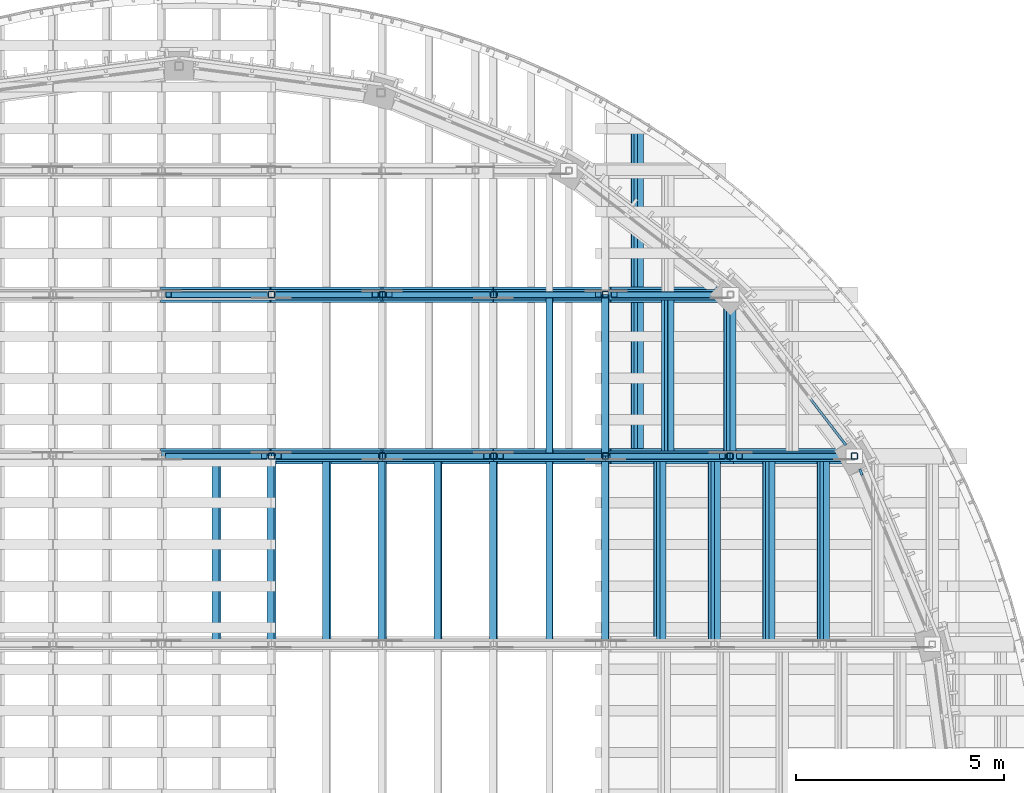
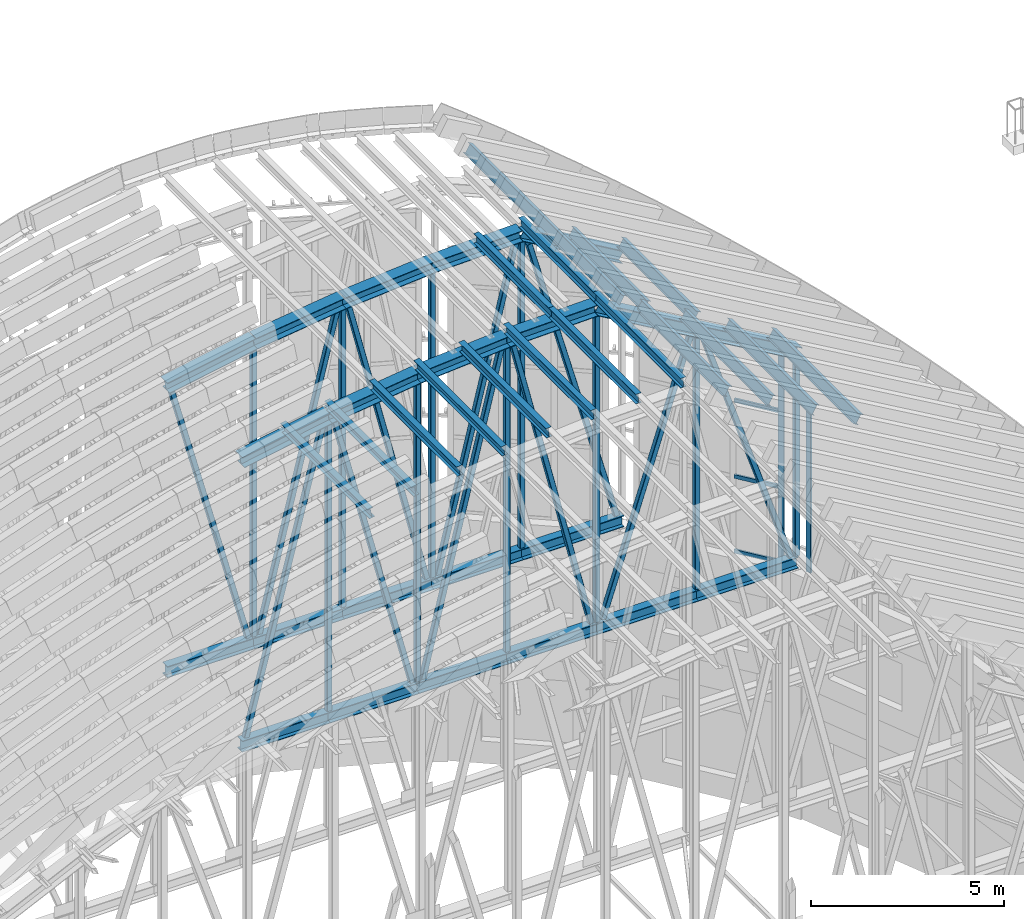
# One storey, part 26 of 105: 65 members, 2 elements without a shape of their own.
"""IFC4 building model written with IfcOpenShell, lengths in metres."""

import ifcopenshell
import ifcopenshell.guid

model = None  # the IFC model being written
_history = None  # IfcOwnerHistory: only IFC2X3 demands one
_inside = {}  # id of a spatial element -> (the spatial element, [elements in it])
_under = {}  # id of a project, library or spatial element -> (it, [spatial elements below it])
_declared = {}  # id of a project -> (the project, [libraries it declares])
_typed = {}  # id of a type object -> (the type object, [elements of that type])
_made_of = {}  # id of a material, layer set ... -> (it, [elements and type objects made of it])


def new_model(schema):
    """Start an empty IFC model of exactly this schema.

    Asked for "IFC4X3", IfcOpenShell would pick the latest addendum, in which some entities
    have other attributes; the version numbers below select the first issue.
    IFC2X3 requires an IfcOwnerHistory on every rooted entity: one is made here for all.
    """
    global model, _history
    if schema == "IFC4X3":
        model = ifcopenshell.file(schema_version=(4, 3, 0, 0))
    else:
        model = ifcopenshell.file(schema=schema)
    _inside.clear()
    _under.clear()
    _declared.clear()
    _typed.clear()
    _made_of.clear()
    _history = None
    if model.schema == "IFC2X3":
        org = make("IfcOrganization", Name="unknown")
        user = make(
            "IfcPersonAndOrganization",
            ThePerson=make("IfcPerson", FamilyName="unknown"),
            TheOrganization=org,
        )
        app = make(
            "IfcApplication",
            ApplicationDeveloper=org,
            Version="unknown",
            ApplicationFullName="unknown",
            ApplicationIdentifier="unknown",
        )
        _history = make(
            "IfcOwnerHistory",
            OwningUser=user,
            OwningApplication=app,
            ChangeAction="ADDED",
            CreationDate=0,
        )
    return model


def make(cls, **values):
    """One entity of the class cls with the attributes given. An attribute that is None is left unset."""
    return model.create_entity(
        cls, **{name: value for name, value in values.items() if value is not None}
    )


def rooted(cls, **values):
    """An entity with a GlobalId (a new one), such as an element, a storey or a relation."""
    return make(cls, GlobalId=ifcopenshell.guid.new(), OwnerHistory=_history, **values)


def si_unit(unit_type, name, prefix=None):
    """IfcSIUnit, for example si_unit("LENGTHUNIT", "METRE", prefix="MILLI")."""
    return make("IfcSIUnit", UnitType=unit_type, Prefix=prefix, Name=name)


def assignment(units):
    """IfcUnitAssignment: the units of a project."""
    return None if units is None else make("IfcUnitAssignment", Units=units)


def point(xyz):
    """IfcCartesianPoint."""
    return None if xyz is None else make("IfcCartesianPoint", Coordinates=xyz)


def direction(xyz):
    """IfcDirection."""
    return None if xyz is None else make("IfcDirection", DirectionRatios=xyz)


def frame(location, z_axis=None, x_axis=None):
    """IfcAxis2Placement3D, a coordinate frame: its origin and axes. An axis left out is left unset."""
    return make(
        "IfcAxis2Placement3D",
        Location=point(location),
        Axis=direction(z_axis),
        RefDirection=direction(x_axis),
    )


def frame_2d(location, x_axis=None):
    """IfcAxis2Placement2D, a coordinate frame in the plane: its origin and x axis."""
    return make(
        "IfcAxis2Placement2D", Location=point(location), RefDirection=direction(x_axis)
    )


def origin():
    """The frame at (0, 0, 0) with its axes left unset."""
    return frame((0.0, 0.0, 0.0))


def origin_2d():
    """The frame at (0, 0) in the plane with its x axis left unset."""
    return frame_2d((0.0, 0.0))


def place(relative_to, where):
    """IfcLocalPlacement: puts the frame where relative to a parent placement (None: the world)."""
    return make(
        "IfcLocalPlacement", PlacementRelTo=relative_to, RelativePlacement=where
    )


def context(
    kind, dimensions, precision=None, world=None, true_north=None, identifier=None
):
    """IfcGeometricRepresentationContext, for example the 3D "Model" context."""
    return make(
        "IfcGeometricRepresentationContext",
        ContextIdentifier=identifier,
        ContextType=kind,
        CoordinateSpaceDimension=dimensions,
        Precision=precision,
        WorldCoordinateSystem=world,
        TrueNorth=true_north,
    )


def subcontext(parent, identifier, kind, view, scale=None):
    """IfcGeometricRepresentationSubContext, for example "Body" below "Model"."""
    return make(
        "IfcGeometricRepresentationSubContext",
        ContextIdentifier=identifier,
        ContextType=kind,
        ParentContext=parent,
        TargetScale=scale,
        TargetView=view,
    )


def project(units=None, contexts=None):
    """IfcProject with its units and contexts."""
    return rooted(
        "IfcProject",
        Name="project",
        RepresentationContexts=contexts,
        UnitsInContext=assignment(units),
    )


def spatial(cls, under=None, at=None, **own):
    """A site, building, storey or space (cls), placed at a placement, below another one or the project."""
    s = rooted(cls, ObjectPlacement=at, **own)
    if under is not None:
        _under.setdefault(under.id(), (under, []))[1].append(s)
    return s


def profile(cls, at=None, kind="AREA", **sizes):
    """A parametric profile (cls). Its sizes go by their IFC names, for example OverallWidth=200.0."""
    return make(cls, ProfileType=kind, Position=at, **sizes)


def rectangle(**sizes):
    """IfcRectangleProfileDef."""
    return profile("IfcRectangleProfileDef", **sizes)


def hollow_rectangle(**sizes):
    """IfcRectangleHollowProfileDef."""
    return profile("IfcRectangleHollowProfileDef", **sizes)


def i_section(**sizes):
    """IfcIShapeProfileDef."""
    return profile("IfcIShapeProfileDef", **sizes)


def extrude(swept, where, along, depth):
    """IfcExtrudedAreaSolid: the profile swept, set in the frame where, extruded along a direction by depth."""
    return make(
        "IfcExtrudedAreaSolid",
        SweptArea=swept,
        Position=where,
        ExtrudedDirection=direction(along),
        Depth=depth,
    )


def shape(context_of_items, identifier, shape_type, items):
    """IfcShapeRepresentation: the items that make up one representation, for example the "Body"."""
    return make(
        "IfcShapeRepresentation",
        ContextOfItems=context_of_items,
        RepresentationIdentifier=identifier,
        RepresentationType=shape_type,
        Items=items,
    )


def material(Name=None, Category=None):
    """IfcMaterial."""
    return make("IfcMaterial", Name=Name, Category=Category)


def layer(
    of_material, thickness, ventilated=None, Name=None, Category=None, Priority=None
):
    """IfcMaterialLayer: one layer of a wall or slab, of a material (None: an air gap)."""
    return make(
        "IfcMaterialLayer",
        Material=of_material,
        LayerThickness=thickness,
        IsVentilated=ventilated,
        Name=Name,
        Category=Category,
        Priority=Priority,
    )


def layer_set(layers, Name=None):
    """IfcMaterialLayerSet."""
    return make("IfcMaterialLayerSet", MaterialLayers=layers, LayerSetName=Name)


def material_profile(
    of_material, cross_section, Name=None, Category=None, Priority=None
):
    """IfcMaterialProfile: a cross section and its material."""
    return make(
        "IfcMaterialProfile",
        Name=Name,
        Material=of_material,
        Profile=cross_section,
        Priority=Priority,
        Category=Category,
    )


def profile_set(profiles, Name=None, composite=None):
    """IfcMaterialProfileSet."""
    return make(
        "IfcMaterialProfileSet",
        Name=Name,
        MaterialProfiles=profiles,
        CompositeProfile=composite,
    )


def made_of(thing, what):
    """Note that an element or type object is made of a material, layer set ...; save() writes the relation."""
    if what is not None:
        _made_of.setdefault(what.id(), (what, []))[1].append(thing)
    return thing


def type_object(cls, material=None, **own):
    """A type object (cls), such as IfcWallType, which elements share."""
    return made_of(rooted(cls, **own), material)


def element(
    cls,
    number,
    at=None,
    inside=None,
    cuts=None,
    type_object=None,
    material=None,
    context=None,
    identifier="Body",
    shape_type=None,
    held_by="IfcProductDefinitionShape",
    body=None,
    shapes=None,
    **own,
):
    """One element of the class cls, such as IfcWall. Its Tag is "e" and its number.

    at: its placement. inside: the storey or other place that contains it. cuts: it is an
    opening in that element (IfcRelVoidsElement). A single representation is given by context,
    identifier, shape_type and body (its items); several are given by shapes. held_by: the class
    of the entity that holds the representations. save() writes the other relations.
    """
    e = rooted(cls, Tag="e%d" % number, ObjectPlacement=at, **own)
    if body is not None:
        shapes = [shape(context, identifier, shape_type, body)]
    if shapes is not None:
        e.Representation = make(held_by, Representations=shapes)
    if inside is not None:
        _inside.setdefault(inside.id(), (inside, []))[1].append(e)
    if cuts is not None:
        rooted(
            "IfcRelVoidsElement", RelatingBuildingElement=cuts, RelatedOpeningElement=e
        )
    if type_object is not None:
        _typed.setdefault(type_object.id(), (type_object, []))[1].append(e)
    return made_of(e, material)


def aggregate(whole, parts):
    """IfcRelAggregates: a whole, such as a stair, and the parts it consists of."""
    return rooted("IfcRelAggregates", RelatingObject=whole, RelatedObjects=parts)


def save(model, path):
    """Write the relations noted so far, then the file.

    IfcRelAggregates (storeys below a building ...), IfcRelContainedInSpatialStructure (elements
    in a storey), IfcRelDefinesByType, IfcRelAssociatesMaterial and IfcRelDeclares: one each for
    every whole, place, type object, material and project.
    """
    for whole, parts in _under.values():
        aggregate(whole, parts)
    for where, things in _inside.values():
        rooted(
            "IfcRelContainedInSpatialStructure",
            RelatedElements=things,
            RelatingStructure=where,
        )
    for kind, things in _typed.values():
        rooted("IfcRelDefinesByType", RelatedObjects=things, RelatingType=kind)
    for what, things in _made_of.values():
        rooted("IfcRelAssociatesMaterial", RelatedObjects=things, RelatingMaterial=what)
    for by, libraries in _declared.values():
        rooted("IfcRelDeclares", RelatingContext=by, RelatedDefinitions=libraries)
    model.write(path)


model = new_model("IFC4")

# Units and contexts
model_context = context("Model", 3, precision=1e-05, world=origin(), true_north=direction((0.0, 1.0)))
body_context = subcontext(model_context, "Body", "Model", "MODEL_VIEW")
ifc_project = project(units=[si_unit("LENGTHUNIT", "METRE"), si_unit("AREAUNIT", "SQUARE_METRE"), si_unit("VOLUMEUNIT", "CUBIC_METRE"), si_unit("PLANEANGLEUNIT", "RADIAN"), si_unit("MASSUNIT", "GRAM", prefix="KILO")], contexts=[model_context])

# Site, building, storey
site_placement = place(None, origin())
site = spatial("IfcSite", under=ifc_project, at=site_placement, CompositionType="ELEMENT")
building_placement = place(site_placement, origin())
building = spatial("IfcBuilding", under=site, at=building_placement, Name="Wasatch Bagh Community Centre", CompositionType="ELEMENT")
storey_placement = place(building_placement, frame((0.0, 0.0, 16.800048828125)))
storey = spatial("IfcBuildingStorey", under=building, at=storey_placement, Name="L04", CompositionType="ELEMENT", Elevation=16.800048828125)

# Members
ifc_material_1 = material(Name="ASTM A500 Grade C steel", Category="steel")
ifc_material_profile_1 = material_profile(ifc_material_1, hollow_rectangle(XDim=0.15234375, YDim=0.15234375, WallThickness=0.0087890625, InnerFilletRadius=0.0087890625, OuterFilletRadius=0.017822265625, at=origin_2d()), Name="HSS6x6x3/8")
ifc_profile_set_1 = profile_set([ifc_material_profile_1], Name="ASTM A500 Grade C steel")
member_type_1 = type_object("IfcMemberType", Name="HSS6x6x3/8 brace", PredefinedType="BRACE", material=ifc_profile_set_1)
member_1_placement = place(storey_placement, frame((35.75146484375, 74.375, 8.08984375), z_axis=(0.246183437519, 0.0, 0.969223253483), x_axis=(0.0, 1.0, 0.0)))
element("IfcMember", 1, at=member_1_placement, inside=storey, type_object=member_type_1, Name="MH.TN2.WB07", PredefinedType="BRACE", context=body_context, shape_type="SweptSolid", body=[
    extrude(hollow_rectangle(XDim=0.15234375, YDim=0.15234375, WallThickness=0.0087890625, InnerFilletRadius=0.0087890625, OuterFilletRadius=0.017822265625, at=origin_2d()), origin(), (0.0, 0.0, 1.0), 9.349853515625),
])
member_2_placement = place(storey_placement, frame((40.722412109375, 74.375, 8.08984375), z_axis=(-0.247331546252, 0.0, 0.968930908904), x_axis=(0.0, -1.0, 0.0)))
element("IfcMember", 2, at=member_2_placement, inside=storey, type_object=member_type_1, Name="MH.TN2.WB08", PredefinedType="BRACE", context=body_context, shape_type="SweptSolid", body=[
    extrude(hollow_rectangle(XDim=0.15234375, YDim=0.15234375, WallThickness=0.0087890625, InnerFilletRadius=0.0087890625, OuterFilletRadius=0.017822265625, at=origin_2d()), origin(), (0.0, 0.0, 1.0), 9.4326171875),
])
member_3_placement = place(storey_placement, frame((41.052978515625, 74.375, 8.089111328125), z_axis=(0.236340285588, 0.0, 0.971670350174), x_axis=(0.0, 1.0, 0.0)))
element("IfcMember", 3, at=member_3_placement, inside=storey, type_object=member_type_1, Name="MH.TN2.WB09", PredefinedType="BRACE", context=body_context, shape_type="SweptSolid", body=[
    extrude(hollow_rectangle(XDim=0.15234375, YDim=0.15234375, WallThickness=0.0087890625, InnerFilletRadius=0.0087890625, OuterFilletRadius=0.017822265625, at=origin_2d()), origin(), (0.0, 0.0, 1.0), 9.92919921875),
])
member_4_placement = place(storey_placement, frame((46.0859375, 74.375, 8.089111328125), z_axis=(-0.236715120472, 0.0, 0.971579102153), x_axis=(0.0, -1.0, 0.0)))
element("IfcMember", 4, at=member_4_placement, inside=storey, type_object=member_type_1, Name="MH.TN2.WB10", PredefinedType="BRACE", context=body_context, shape_type="SweptSolid", body=[
    extrude(hollow_rectangle(XDim=0.15234375, YDim=0.15234375, WallThickness=0.0087890625, InnerFilletRadius=0.0087890625, OuterFilletRadius=0.017822265625, at=origin_2d()), origin(), (0.0, 0.0, 1.0), 9.955810546875),
])
member_5_placement = place(storey_placement, frame((46.43310546875, 74.375, 8.0947265625), z_axis=(0.310739857931, 0.0, 0.950494997721), x_axis=(0.0, 1.0, 0.0)))
element("IfcMember", 5, at=member_5_placement, inside=storey, type_object=member_type_1, Name="MH.TN2.WB11", PredefinedType="BRACE", context=body_context, shape_type="SweptSolid", body=[
    extrude(hollow_rectangle(XDim=0.15234375, YDim=0.15234375, WallThickness=0.0087890625, InnerFilletRadius=0.0087890625, OuterFilletRadius=0.017822265625, at=origin_2d()), origin(), (0.0, 0.0, 1.0), 8.469482421875),
])
member_6_placement = place(storey_placement, frame((52.0537109375, 74.375, 8.094970703125), z_axis=(-0.315332472501, 0.0, 0.948981259976), x_axis=(0.0, -1.0, 0.0)))
element("IfcMember", 6, at=member_6_placement, inside=storey, type_object=member_type_1, Name="MH.TN2.WB12", PredefinedType="BRACE", context=body_context, shape_type="SweptSolid", body=[
    extrude(hollow_rectangle(XDim=0.15234375, YDim=0.15234375, WallThickness=0.0087890625, InnerFilletRadius=0.0087890625, OuterFilletRadius=0.017822265625, at=origin_2d()), origin(), (0.0, 0.0, 1.0), 8.18212890625),
])
member_7_placement = place(storey_placement, frame((38.057373046875, 78.25830078125, 8.090576171875), z_axis=(-0.257394899199, 0.0, 0.966306300231), x_axis=(0.0, -1.0, 0.0)))
element("IfcMember", 7, at=member_7_placement, inside=storey, type_object=member_type_1, Name="MH.TN3.WB06", PredefinedType="BRACE", context=body_context, shape_type="SweptSolid", body=[
    extrude(hollow_rectangle(XDim=0.15234375, YDim=0.15234375, WallThickness=0.0087890625, InnerFilletRadius=0.0087890625, OuterFilletRadius=0.017822265625, at=origin_2d()), origin(), (0.0, 0.0, 1.0), 8.96728515625),
])
member_8_placement = place(storey_placement, frame((38.39111328125, 78.25830078125, 8.08935546875), z_axis=(0.239854300231, 0.0, 0.970808897086), x_axis=(0.0, 1.0, 0.0)))
element("IfcMember", 8, at=member_8_placement, inside=storey, type_object=member_type_1, Name="MH.TN3.WB07", PredefinedType="BRACE", context=body_context, shape_type="SweptSolid", body=[
    extrude(hollow_rectangle(XDim=0.15234375, YDim=0.15234375, WallThickness=0.0087890625, InnerFilletRadius=0.0087890625, OuterFilletRadius=0.017822265625, at=origin_2d()), origin(), (0.0, 0.0, 1.0), 9.70849609375),
])
member_9_placement = place(storey_placement, frame((43.401123046875, 78.25830078125, 8.08935546875), z_axis=(-0.240640528946, 0.0, 0.970614308481), x_axis=(0.0, -1.0, 0.0)))
element("IfcMember", 9, at=member_9_placement, inside=storey, type_object=member_type_1, Name="MH.TN3.WB08", PredefinedType="BRACE", context=body_context, shape_type="SweptSolid", body=[
    extrude(hollow_rectangle(XDim=0.15234375, YDim=0.15234375, WallThickness=0.0087890625, InnerFilletRadius=0.0087890625, OuterFilletRadius=0.017822265625, at=origin_2d()), origin(), (0.0, 0.0, 1.0), 9.762939453125),
])
member_10_placement = place(storey_placement, frame((43.7294921875, 78.25830078125, 8.089111328125), z_axis=(0.23546246071, 0.0, 0.97188344445), x_axis=(0.0, 1.0, 0.0)))
element("IfcMember", 10, at=member_10_placement, inside=storey, type_object=member_type_1, Name="MH.TN3.WB09", PredefinedType="BRACE", context=body_context, shape_type="SweptSolid", body=[
    extrude(hollow_rectangle(XDim=0.15234375, YDim=0.15234375, WallThickness=0.0087890625, InnerFilletRadius=0.0087890625, OuterFilletRadius=0.017822265625, at=origin_2d()), origin(), (0.0, 0.0, 1.0), 10.006591796875),
])
member_11_placement = place(storey_placement, frame((49.0869140625, 78.25830078125, 8.09130859375), z_axis=(-0.266053472692, 0.0, 0.963958271746), x_axis=(0.0, -1.0, 0.0)))
element("IfcMember", 11, at=member_11_placement, inside=storey, type_object=member_type_1, Name="MH.TN3.WB10", PredefinedType="BRACE", context=body_context, shape_type="SweptSolid", body=[
    extrude(hollow_rectangle(XDim=0.15234375, YDim=0.15234375, WallThickness=0.0087890625, InnerFilletRadius=0.0087890625, OuterFilletRadius=0.017822265625, at=origin_2d()), origin(), (0.0, 0.0, 1.0), 9.867431640625),
])
ifc_material_profile_2 = material_profile(ifc_material_1, hollow_rectangle(XDim=0.15234375, YDim=0.15234375, WallThickness=0.0087890625, InnerFilletRadius=0.0087890625, OuterFilletRadius=0.017822265625, at=origin_2d()), Name="HSS6x6x3/8")
ifc_profile_set_2 = profile_set([ifc_material_profile_2], Name="ASTM A500 Grade C steel")
member_type_2 = type_object("IfcMemberType", Name="HSS6x6x3/8 post", PredefinedType="POST", material=ifc_profile_set_2)
member_12_placement = place(storey_placement, frame((38.226318359375, 74.375, 8.070556640625), z_axis=(0.0, 0.0, 1.0), x_axis=(1.0, 0.0, 0.0)))
element("IfcMember", 12, at=member_12_placement, inside=storey, type_object=member_type_2, Name="MH.TN2.PS08", PredefinedType="POST", context=body_context, shape_type="SweptSolid", body=[
    extrude(hollow_rectangle(XDim=0.15234375, YDim=0.15234375, WallThickness=0.0087890625, InnerFilletRadius=0.0087890625, OuterFilletRadius=0.017822265625, at=origin_2d()), origin(), (0.0, 0.0, 1.0), 9.13134765625),
])
member_13_placement = place(storey_placement, frame((40.88916015625, 74.375, 8.070556640625), z_axis=(0.0, 0.0, 1.0), x_axis=(1.0, 0.0, 0.0)))
element("IfcMember", 13, at=member_13_placement, inside=storey, type_object=member_type_2, Name="MH.TN2.PS09", PredefinedType="POST", context=body_context, shape_type="SweptSolid", body=[
    extrude(hollow_rectangle(XDim=0.15234375, YDim=0.15234375, WallThickness=0.0087890625, InnerFilletRadius=0.0087890625, OuterFilletRadius=0.017822265625, at=origin_2d()), origin(), (0.0, 0.0, 1.0), 9.48388671875),
])
member_14_placement = place(storey_placement, frame((43.56591796875, 74.375, 8.070556640625), z_axis=(0.0, 0.0, 1.0), x_axis=(1.0, 0.0, 0.0)))
element("IfcMember", 14, at=member_14_placement, inside=storey, type_object=member_type_2, Name="MH.TN2.PS10", PredefinedType="POST", context=body_context, shape_type="SweptSolid", body=[
    extrude(hollow_rectangle(XDim=0.15234375, YDim=0.15234375, WallThickness=0.0087890625, InnerFilletRadius=0.0087890625, OuterFilletRadius=0.017822265625, at=origin_2d()), origin(), (0.0, 0.0, 1.0), 9.697265625),
])
member_15_placement = place(storey_placement, frame((46.25, 74.375, 8.070556640625), z_axis=(0.0, 0.0, 1.0), x_axis=(1.0, 0.0, 0.0)))
element("IfcMember", 15, at=member_15_placement, inside=storey, type_object=member_type_2, Name="MH.TN2.PS11", PredefinedType="POST", context=body_context, shape_type="SweptSolid", body=[
    extrude(hollow_rectangle(XDim=0.15234375, YDim=0.15234375, WallThickness=0.0087890625, InnerFilletRadius=0.0087890625, OuterFilletRadius=0.017822265625, at=origin_2d()), origin(), (0.0, 0.0, 1.0), 9.67431640625),
])
member_16_placement = place(storey_placement, frame((49.243896484375, 74.375, 8.070556640625), z_axis=(0.0, 0.0, 1.0), x_axis=(1.0, 0.0, 0.0)))
element("IfcMember", 16, at=member_16_placement, inside=storey, type_object=member_type_2, Name="MH.TN2.PS12", PredefinedType="POST", context=body_context, shape_type="SweptSolid", body=[
    extrude(hollow_rectangle(XDim=0.15234375, YDim=0.15234375, WallThickness=0.0087890625, InnerFilletRadius=0.0087890625, OuterFilletRadius=0.017822265625, at=origin_2d()), origin(), (0.0, 0.0, 1.0), 7.944580078125),
])
member_17_placement = place(storey_placement, frame((52.238037109375, 74.375, 8.070556640625), z_axis=(0.0, 0.0, 1.0), x_axis=(1.0, 0.0, 0.0)))
element("IfcMember", 17, at=member_17_placement, inside=storey, type_object=member_type_2, Name="MH.TN2.PS13", PredefinedType="POST", context=body_context, shape_type="SweptSolid", body=[
    extrude(hollow_rectangle(XDim=0.15234375, YDim=0.15234375, WallThickness=0.0087890625, InnerFilletRadius=0.0087890625, OuterFilletRadius=0.017822265625, at=origin_2d()), origin(), (0.0, 0.0, 1.0), 6.194091796875),
])
member_18_placement = place(storey_placement, frame((38.226318359375, 78.25830078125, 8.070556640625), z_axis=(0.0, 0.0, 1.0), x_axis=(1.0, 0.0, 0.0)))
element("IfcMember", 18, at=member_18_placement, inside=storey, type_object=member_type_2, Name="MH.TN3.PS07", PredefinedType="POST", context=body_context, shape_type="SweptSolid", body=[
    extrude(hollow_rectangle(XDim=0.15234375, YDim=0.15234375, WallThickness=0.0087890625, InnerFilletRadius=0.0087890625, OuterFilletRadius=0.017822265625, at=origin_2d()), origin(), (0.0, 0.0, 1.0), 9.13134765625),
])
member_19_placement = place(storey_placement, frame((40.88916015625, 78.25830078125, 8.070556640625), z_axis=(0.0, 0.0, 1.0), x_axis=(1.0, 0.0, 0.0)))
element("IfcMember", 19, at=member_19_placement, inside=storey, type_object=member_type_2, Name="MH.TN3.PS08", PredefinedType="POST", context=body_context, shape_type="SweptSolid", body=[
    extrude(hollow_rectangle(XDim=0.15234375, YDim=0.15234375, WallThickness=0.0087890625, InnerFilletRadius=0.0087890625, OuterFilletRadius=0.017822265625, at=origin_2d()), origin(), (0.0, 0.0, 1.0), 9.48388671875),
])
member_20_placement = place(storey_placement, frame((43.56591796875, 78.25830078125, 8.070556640625), z_axis=(0.0, 0.0, 1.0), x_axis=(1.0, 0.0, 0.0)))
element("IfcMember", 20, at=member_20_placement, inside=storey, type_object=member_type_2, Name="MH.TN3.PS09", PredefinedType="POST", context=body_context, shape_type="SweptSolid", body=[
    extrude(hollow_rectangle(XDim=0.15234375, YDim=0.15234375, WallThickness=0.0087890625, InnerFilletRadius=0.0087890625, OuterFilletRadius=0.017822265625, at=origin_2d()), origin(), (0.0, 0.0, 1.0), 9.697265625),
])
member_21_placement = place(storey_placement, frame((46.25, 78.25830078125, 8.070556640625), z_axis=(0.0, 0.0, 1.0), x_axis=(1.0, 0.0, 0.0)))
element("IfcMember", 21, at=member_21_placement, inside=storey, type_object=member_type_2, Name="MH.TN3.PS10", PredefinedType="POST", context=body_context, shape_type="SweptSolid", body=[
    extrude(hollow_rectangle(XDim=0.15234375, YDim=0.15234375, WallThickness=0.0087890625, InnerFilletRadius=0.0087890625, OuterFilletRadius=0.017822265625, at=origin_2d()), origin(), (0.0, 0.0, 1.0), 9.67431640625),
])

# Curtain wall, member
ifc_material_2 = material(Name="Aluminium curtain wall frame with low-iron glass", Category="aluminium")
ifc_layer_1 = layer(ifc_material_2, 0.10009765625)
ifc_layer_set_1 = layer_set([ifc_layer_1], Name="Aluminium curtain wall frame with low-iron glass")
curtain_wall_type_1 = type_object("IfcCurtainWallType", Name="MH end screen curtain wall 9", PredefinedType="NOTDEFINED", material=ifc_layer_set_1)
curtain_wall_1_placement = place(storey_placement, origin())
curtain_wall_1 = element("IfcCurtainWall", 22, at=curtain_wall_1_placement, inside=storey, type_object=curtain_wall_type_1, Name="End screen 20", PredefinedType="NOTDEFINED")
ifc_material_3 = material(Name="Aluminium extrusion", Category="aluminium")
ifc_material_profile_3 = material_profile(ifc_material_3, rectangle(XDim=0.06005859375, YDim=0.159912109375, at=origin_2d()), Name="AL 60x160")
ifc_profile_set_3 = profile_set([ifc_material_profile_3], Name="Aluminium extrusion")
member_type_3 = type_object("IfcMemberType", Name="MH end screen mullion 60x160", PredefinedType="MULLION", material=ifc_profile_set_3)
member_22_placement = place(storey_placement, frame((52.397216796875, 73.990234375, 7.699951171875), z_axis=(0.0, 0.0, 1.0), x_axis=(-0.923879532585, -0.382683432188, 0.0)))
member_22 = element("IfcMember", 23, at=member_22_placement, type_object=member_type_3, Name="MH-CW9 mullion 4", PredefinedType="MULLION", context=body_context, shape_type="SweptSolid", body=[
    extrude(rectangle(XDim=0.06005859375, YDim=0.159912109375, at=origin_2d()), origin(), (0.0, 0.0, 1.0), 5.39990234375),
])
aggregate(curtain_wall_1, [member_22])

# Curtain wall, members
ifc_layer_2 = layer(ifc_material_2, 0.10009765625)
ifc_layer_set_2 = layer_set([ifc_layer_2], Name="Aluminium curtain wall frame with low-iron glass")
curtain_wall_type_2 = type_object("IfcCurtainWallType", Name="MH end screen curtain wall 5", PredefinedType="NOTDEFINED", material=ifc_layer_set_2)
curtain_wall_2_placement = place(storey_placement, origin())
curtain_wall_2 = element("IfcCurtainWall", 24, at=curtain_wall_2_placement, inside=storey, type_object=curtain_wall_type_2, Name="End screen 21", PredefinedType="NOTDEFINED")
member_23_placement = place(storey_placement, frame((51.984375, 74.705322265625, 7.699951171875), z_axis=(0.0, 0.0, 1.0), x_axis=(-0.79335334027, -0.608761429036, 0.0)))
member_23 = element("IfcMember", 25, at=member_23_placement, type_object=member_type_3, Name="MH-CW5 mullion 1", PredefinedType="MULLION", context=body_context, shape_type="SweptSolid", body=[
    extrude(rectangle(XDim=0.06005859375, YDim=0.159912109375, at=origin_2d()), origin(), (0.0, 0.0, 1.0), 6.60009765625),
])
ifc_material_profile_4 = material_profile(ifc_material_3, rectangle(XDim=0.06005859375, YDim=0.1201171875, at=origin_2d()), Name="AL 60x120")
ifc_profile_set_4 = profile_set([ifc_material_profile_4], Name="Aluminium extrusion")
member_type_4 = type_object("IfcMemberType", Name="MH end screen transom 60x120", PredefinedType="USERDEFINED", material=ifc_profile_set_4)
member_24_placement = place(storey_placement, frame((51.96630859375, 74.729248046875, 7.72998046875), z_axis=(-0.608846614125, 0.793287968186, 0.0), x_axis=(-0.793287968186, -0.608846614125, 0.0)))
member_24 = element("IfcMember", 26, at=member_24_placement, type_object=member_type_4, Name="MH-CW5 transom 1.1", ObjectType="TRANSOM", PredefinedType="USERDEFINED", context=body_context, shape_type="SweptSolid", body=[
    extrude(rectangle(XDim=0.06005859375, YDim=0.1201171875, at=origin_2d()), origin(), (0.0, 0.0, 1.0), 1.283935546875),
])
member_25_placement = place(storey_placement, frame((51.96630859375, 74.729248046875, 10.099853515625), z_axis=(-0.608846614125, 0.793287968186, 0.0), x_axis=(-0.793287968186, -0.608846614125, 0.0)))
member_25 = element("IfcMember", 27, at=member_25_placement, type_object=member_type_4, Name="MH-CW5 transom 1.2", ObjectType="TRANSOM", PredefinedType="USERDEFINED", context=body_context, shape_type="SweptSolid", body=[
    extrude(rectangle(XDim=0.06005859375, YDim=0.1201171875, at=origin_2d()), origin(), (0.0, 0.0, 1.0), 1.283935546875),
])
member_26_placement = place(storey_placement, frame((51.96630859375, 74.729248046875, 12.5), z_axis=(-0.608846614125, 0.793287968186, 0.0), x_axis=(-0.793287968186, -0.608846614125, 0.0)))
member_26 = element("IfcMember", 28, at=member_26_placement, type_object=member_type_4, Name="MH-CW5 transom 1.3", ObjectType="TRANSOM", PredefinedType="USERDEFINED", context=body_context, shape_type="SweptSolid", body=[
    extrude(rectangle(XDim=0.06005859375, YDim=0.1201171875, at=origin_2d()), origin(), (0.0, 0.0, 1.0), 1.283935546875),
])
aggregate(curtain_wall_2, [member_23, member_24, member_25, member_26])

# Members
ifc_material_4 = material(Name="ASTM A992 Grade 50 steel", Category="steel")
ifc_material_profile_5 = material_profile(ifc_material_4, i_section(OverallWidth=0.164794921875, OverallDepth=0.309814453125, WebThickness=0.005859375, FlangeThickness=0.009765625, at=origin_2d()), Name="W12x26")
ifc_profile_set_5 = profile_set([ifc_material_profile_5], Name="ASTM A992 Grade 50 steel")
member_type_5 = type_object("IfcMemberType", Name="W12x26 purlin", PredefinedType="PURLIN", material=ifc_profile_set_5)
for number, where, z_axis, x_axis, name in (
    (29, (36.90576171875, 69.852783203125, 17.493408203125), (0.0, 1.0, 0.0), (-0.983711293114, 0.0, -0.179755644695), "MH.TN1-TN2.PU15"),
    (30, (38.226318359375, 69.852783203125, 17.734619140625), (0.0, 1.0, 0.0), (-0.983711293114, 0.0, -0.179755644695), "MH.TN1-TN2.PU16"),
    (31, (39.5576171875, 69.852783203125, 17.90625), (0.0, 1.0, 0.0), (-0.991678342395, 0.0, -0.12874030148), "MH.TN1-TN2.PU17"),
    (32, (40.88916015625, 69.852783203125, 18.0791015625), (0.0, 1.0, 0.0), (-0.991678342395, 0.0, -0.12874030148), "MH.TN1-TN2.PU18"),
    (33, (42.2275390625, 69.852783203125, 18.18212890625), (0.0, 1.0, 0.0), (-0.997001538098, 0.0, -0.077381735761), "MH.TN1-TN2.PU19"),
    (34, (43.56591796875, 69.852783203125, 18.2861328125), (0.0, 1.0, 0.0), (-0.997001538098, 0.0, -0.077381735761), "MH.TN1-TN2.PU20"),
    (35, (44.907958984375, 69.852783203125, 18.3203125), (0.0, 1.0, 0.0), (-0.999666689368, 0.0, -0.025816858198), "MH.TN1-TN2.PU21"),
    (36, (46.25, 69.852783203125, 18.35498046875), (0.0, 1.0, 0.0), (-0.999666689368, 0.0, -0.025816858198), "MH.TN1-TN2.PU22"),
    (37, (47.560302734375, 69.852783203125, 17.622314453125), (0.0, 1.0, 0.0), (-0.866025403784, 0.0, 0.5), "MH.TN1-TN2.PU23"),
    (38, (48.870361328125, 69.852783203125, 16.865966796875), (0.0, 1.0, 0.0), (-0.866025403784, 0.0, 0.5), "MH.TN1-TN2.PU24"),
    (39, (50.1806640625, 69.852783203125, 16.109619140625), (0.0, 1.0, 0.0), (-0.866025403784, 0.0, 0.5), "MH.TN1-TN2.PU25"),
    (40, (51.49072265625, 69.852783203125, 15.35302734375), (0.0, 1.0, 0.0), (-0.866025403784, 0.0, 0.5), "MH.TN1-TN2.PU26"),
):
    element("IfcMember", number, at=place(storey_placement, frame(where, z_axis=z_axis, x_axis=x_axis)), inside=storey, type_object=member_type_5, Name=name, PredefinedType="PURLIN", context=body_context, shape_type="SweptSolid", body=[
        extrude(i_section(OverallWidth=0.164794921875, OverallDepth=0.309814453125, WebThickness=0.005859375, FlangeThickness=0.009765625, at=origin_2d()), origin(), (0.0, 0.0, 1.0), 4.522216796875),
    ])
for number, where, z_axis, x_axis, name in (
    (41, (44.907958984375, 74.375, 18.3203125), (0.0, 1.0, 0.0), (-0.999666689368, 0.0, -0.025816858198), "MH.TN2-TN3.PU19"),
    (42, (46.25, 74.375, 18.35498046875), (0.0, 1.0, 0.0), (-0.999666689368, 0.0, -0.025816858198), "MH.TN2-TN3.PU20"),
    (43, (47.7470703125, 74.375, 17.5146484375), (0.0, 1.0, 0.0), (-0.866025403784, 0.0, 0.5), "MH.TN2-TN3.PU21"),
    (44, (49.243896484375, 74.375, 16.650390625), (0.0, 1.0, 0.0), (-0.866025403784, 0.0, 0.5), "MH.TN2-TN3.PU22"),
):
    element("IfcMember", number, at=place(storey_placement, frame(where, z_axis=z_axis, x_axis=x_axis)), inside=storey, type_object=member_type_5, Name=name, PredefinedType="PURLIN", context=body_context, shape_type="SweptSolid", body=[
        extrude(i_section(OverallWidth=0.164794921875, OverallDepth=0.309814453125, WebThickness=0.005859375, FlangeThickness=0.009765625, at=origin_2d()), origin(), (0.0, 0.0, 1.0), 3.88330078125),
    ])
ifc_material_profile_6 = material_profile(ifc_material_4, i_section(OverallWidth=0.164794921875, OverallDepth=0.309814453125, WebThickness=0.005859375, FlangeThickness=0.009765625, at=origin_2d()), Name="W12x26")
ifc_profile_set_6 = profile_set([ifc_material_profile_6], Name="ASTM A992 Grade 50 steel")
member_type_6 = type_object("IfcMemberType", Name="W12x26 rafter", PredefinedType="RAFTER", material=ifc_profile_set_6)
member_27_placement = place(storey_placement, frame((47.0205078125, 82.35888671875, 17.93359375), z_axis=(0.0, -1.0, 0.0), x_axis=(0.866025403784, 0.0, -0.5)))
element("IfcMember", 45, at=member_27_placement, inside=storey, type_object=member_type_6, Name="MH.TN.RF20", PredefinedType="RAFTER", context=body_context, shape_type="SweptSolid", body=[
    extrude(i_section(OverallWidth=0.164794921875, OverallDepth=0.309814453125, WebThickness=0.005859375, FlangeThickness=0.009765625, at=origin_2d()), origin(), (0.0, 0.0, 1.0), 7.98388671875),
])
ifc_material_profile_7 = material_profile(ifc_material_4, i_section(OverallWidth=0.25390625, OverallDepth=0.355712890625, WebThickness=0.010498046875, FlangeThickness=0.018310546875, at=origin_2d()), Name="W14x68")
ifc_profile_set_7 = profile_set([ifc_material_profile_7], Name="ASTM A992 Grade 50 steel")
member_type_7 = type_object("IfcMemberType", Name="W14x68 chord", PredefinedType="CHORD", material=ifc_profile_set_7)
member_28_placement = place(storey_placement, frame((35.585205078125, 74.375, 7.892822265625), z_axis=(1.0, 0.0, 0.0), x_axis=(0.0, 1.0, 0.0)))
element("IfcMember", 46, at=member_28_placement, inside=storey, type_object=member_type_7, Name="MH.TN2.BC07", PredefinedType="CHORD", context=body_context, shape_type="SweptSolid", body=[
    extrude(i_section(OverallWidth=0.25390625, OverallDepth=0.355712890625, WebThickness=0.010498046875, FlangeThickness=0.018310546875, at=origin_2d()), origin(), (0.0, 0.0, 1.0), 2.64111328125),
])
member_29_placement = place(storey_placement, frame((38.226318359375, 74.375, 7.892822265625), z_axis=(1.0, 0.0, 0.0), x_axis=(0.0, 1.0, 0.0)))
element("IfcMember", 47, at=member_29_placement, inside=storey, type_object=member_type_7, Name="MH.TN2.BC08", PredefinedType="CHORD", context=body_context, shape_type="SweptSolid", body=[
    extrude(i_section(OverallWidth=0.25390625, OverallDepth=0.355712890625, WebThickness=0.010498046875, FlangeThickness=0.018310546875, at=origin_2d()), origin(), (0.0, 0.0, 1.0), 2.662841796875),
])
member_30_placement = place(storey_placement, frame((40.88916015625, 74.375, 7.892822265625), z_axis=(1.0, 0.0, 0.0), x_axis=(0.0, 1.0, 0.0)))
element("IfcMember", 48, at=member_30_placement, inside=storey, type_object=member_type_7, Name="MH.TN2.BC09", PredefinedType="CHORD", context=body_context, shape_type="SweptSolid", body=[
    extrude(i_section(OverallWidth=0.25390625, OverallDepth=0.355712890625, WebThickness=0.010498046875, FlangeThickness=0.018310546875, at=origin_2d()), origin(), (0.0, 0.0, 1.0), 2.6767578125),
])
member_31_placement = place(storey_placement, frame((43.56591796875, 74.375, 7.892822265625), z_axis=(1.0, 0.0, 0.0), x_axis=(0.0, 1.0, 0.0)))
element("IfcMember", 49, at=member_31_placement, inside=storey, type_object=member_type_7, Name="MH.TN2.BC10", PredefinedType="CHORD", context=body_context, shape_type="SweptSolid", body=[
    extrude(i_section(OverallWidth=0.25390625, OverallDepth=0.355712890625, WebThickness=0.010498046875, FlangeThickness=0.018310546875, at=origin_2d()), origin(), (0.0, 0.0, 1.0), 2.68408203125),
])
member_32_placement = place(storey_placement, frame((46.25, 74.375, 7.892822265625), z_axis=(1.0, 0.0, 0.0), x_axis=(0.0, 1.0, 0.0)))
element("IfcMember", 50, at=member_32_placement, inside=storey, type_object=member_type_7, Name="MH.TN2.BC11", PredefinedType="CHORD", context=body_context, shape_type="SweptSolid", body=[
    extrude(i_section(OverallWidth=0.25390625, OverallDepth=0.355712890625, WebThickness=0.010498046875, FlangeThickness=0.018310546875, at=origin_2d()), origin(), (0.0, 0.0, 1.0), 2.993896484375),
])
member_33_placement = place(storey_placement, frame((49.243896484375, 74.375, 7.892822265625), z_axis=(1.0, 0.0, 0.0), x_axis=(0.0, 1.0, 0.0)))
element("IfcMember", 51, at=member_33_placement, inside=storey, type_object=member_type_7, Name="MH.TN2.BC12", PredefinedType="CHORD", context=body_context, shape_type="SweptSolid", body=[
    extrude(i_section(OverallWidth=0.25390625, OverallDepth=0.355712890625, WebThickness=0.010498046875, FlangeThickness=0.018310546875, at=origin_2d()), origin(), (0.0, 0.0, 1.0), 2.994140625),
])
member_34_placement = place(storey_placement, frame((35.585205078125, 78.25830078125, 7.892822265625), z_axis=(1.0, 0.0, 0.0), x_axis=(0.0, 1.0, 0.0)))
element("IfcMember", 52, at=member_34_placement, inside=storey, type_object=member_type_7, Name="MH.TN3.BC06", PredefinedType="CHORD", context=body_context, shape_type="SweptSolid", body=[
    extrude(i_section(OverallWidth=0.25390625, OverallDepth=0.355712890625, WebThickness=0.010498046875, FlangeThickness=0.018310546875, at=origin_2d()), origin(), (0.0, 0.0, 1.0), 2.64111328125),
])
member_35_placement = place(storey_placement, frame((38.226318359375, 78.25830078125, 7.892822265625), z_axis=(1.0, 0.0, 0.0), x_axis=(0.0, 1.0, 0.0)))
element("IfcMember", 53, at=member_35_placement, inside=storey, type_object=member_type_7, Name="MH.TN3.BC07", PredefinedType="CHORD", context=body_context, shape_type="SweptSolid", body=[
    extrude(i_section(OverallWidth=0.25390625, OverallDepth=0.355712890625, WebThickness=0.010498046875, FlangeThickness=0.018310546875, at=origin_2d()), origin(), (0.0, 0.0, 1.0), 2.662841796875),
])
member_36_placement = place(storey_placement, frame((40.88916015625, 78.25830078125, 7.892822265625), z_axis=(1.0, 0.0, 0.0), x_axis=(0.0, 1.0, 0.0)))
element("IfcMember", 54, at=member_36_placement, inside=storey, type_object=member_type_7, Name="MH.TN3.BC08", PredefinedType="CHORD", context=body_context, shape_type="SweptSolid", body=[
    extrude(i_section(OverallWidth=0.25390625, OverallDepth=0.355712890625, WebThickness=0.010498046875, FlangeThickness=0.018310546875, at=origin_2d()), origin(), (0.0, 0.0, 1.0), 2.6767578125),
])
member_37_placement = place(storey_placement, frame((43.56591796875, 78.25830078125, 7.892822265625), z_axis=(1.0, 0.0, 0.0), x_axis=(0.0, 1.0, 0.0)))
element("IfcMember", 55, at=member_37_placement, inside=storey, type_object=member_type_7, Name="MH.TN3.BC09", PredefinedType="CHORD", context=body_context, shape_type="SweptSolid", body=[
    extrude(i_section(OverallWidth=0.25390625, OverallDepth=0.355712890625, WebThickness=0.010498046875, FlangeThickness=0.018310546875, at=origin_2d()), origin(), (0.0, 0.0, 1.0), 2.68408203125),
])
member_38_placement = place(storey_placement, frame((46.25, 78.25830078125, 7.892822265625), z_axis=(1.0, 0.0, 0.0), x_axis=(0.0, 1.0, 0.0)))
element("IfcMember", 56, at=member_38_placement, inside=storey, type_object=member_type_7, Name="MH.TN3.BC10", PredefinedType="CHORD", context=body_context, shape_type="SweptSolid", body=[
    extrude(i_section(OverallWidth=0.25390625, OverallDepth=0.355712890625, WebThickness=0.010498046875, FlangeThickness=0.018310546875, at=origin_2d()), origin(), (0.0, 0.0, 1.0), 3.00830078125),
])
ifc_material_profile_8 = material_profile(ifc_material_4, i_section(OverallWidth=0.368408203125, OverallDepth=0.355712890625, WebThickness=0.01123046875, FlangeThickness=0.01806640625, at=origin_2d()), Name="W14x90")
ifc_profile_set_8 = profile_set([ifc_material_profile_8], Name="ASTM A992 Grade 50 steel")
member_type_8 = type_object("IfcMemberType", Name="W14x90 chord", PredefinedType="CHORD", material=ifc_profile_set_8)
for number, where, z_axis, x_axis, name in (
    (57, (35.59033203125, 74.375, 16.913818359375), (0.983603049686, 0.0, 0.180347000666), (0.0, 1.0, 0.0), "MH.TN2.TC09"),
    (58, (38.2314453125, 74.375, 17.39794921875), (0.991625838438, 0.0, 0.129144092167), (0.0, 1.0, 0.0), "MH.TN2.TC10"),
):
    element("IfcMember", number, at=place(storey_placement, frame(where, z_axis=z_axis, x_axis=x_axis)), inside=storey, type_object=member_type_8, Name=name, PredefinedType="CHORD", context=body_context, shape_type="SweptSolid", body=[
        extrude(i_section(OverallWidth=0.368408203125, OverallDepth=0.355712890625, WebThickness=0.01123046875, FlangeThickness=0.01806640625, at=origin_2d()), origin(), (0.0, 0.0, 1.0), 2.675048828125),
    ])
member_39_placement = place(storey_placement, frame((40.89404296875, 74.375, 17.74462890625), z_axis=(0.99698535495, 0.0, 0.077589960786), x_axis=(0.0, 1.0, 0.0)))
element("IfcMember", 59, at=member_39_placement, inside=storey, type_object=member_type_8, Name="MH.TN2.TC11", PredefinedType="CHORD", context=body_context, shape_type="SweptSolid", body=[
    extrude(i_section(OverallWidth=0.368408203125, OverallDepth=0.355712890625, WebThickness=0.01123046875, FlangeThickness=0.01806640625, at=origin_2d()), origin(), (0.0, 0.0, 1.0), 2.674560546875),
])
member_40_placement = place(storey_placement, frame((43.5712890625, 74.375, 17.95263671875), z_axis=(0.999715039998, 0.0, 0.023871296598), x_axis=(0.0, 1.0, 0.0)))
element("IfcMember", 60, at=member_40_placement, inside=storey, type_object=member_type_8, Name="MH.TN2.TC12", PredefinedType="CHORD", context=body_context, shape_type="SweptSolid", body=[
    extrude(i_section(OverallWidth=0.368408203125, OverallDepth=0.355712890625, WebThickness=0.01123046875, FlangeThickness=0.01806640625, at=origin_2d()), origin(), (0.0, 0.0, 1.0), 2.62841796875),
])
member_41_placement = place(storey_placement, frame((46.2939453125, 74.375, 17.99072265625), z_axis=(0.863301584491, 0.0, -0.504688393185), x_axis=(0.0, 1.0, 0.0)))
element("IfcMember", 61, at=member_41_placement, inside=storey, type_object=member_type_8, Name="MH.TN2.TC13", PredefinedType="CHORD", context=body_context, shape_type="SweptSolid", body=[
    extrude(i_section(OverallWidth=0.368408203125, OverallDepth=0.355712890625, WebThickness=0.01123046875, FlangeThickness=0.01806640625, at=origin_2d()), origin(), (0.0, 0.0, 1.0), 3.416259765625),
])
member_42_placement = place(storey_placement, frame((49.244873046875, 74.375, 16.265625), z_axis=(0.866030286288, 0.0, -0.49999154316), x_axis=(0.0, 1.0, 0.0)))
element("IfcMember", 62, at=member_42_placement, inside=storey, type_object=member_type_8, Name="MH.TN2.TC14", PredefinedType="CHORD", context=body_context, shape_type="SweptSolid", body=[
    extrude(i_section(OverallWidth=0.368408203125, OverallDepth=0.355712890625, WebThickness=0.01123046875, FlangeThickness=0.01806640625, at=origin_2d()), origin(), (0.0, 0.0, 1.0), 3.45556640625),
])
for number, where, z_axis, x_axis, name in (
    (63, (35.59033203125, 78.25830078125, 16.913818359375), (0.983603049686, 0.0, 0.180347000666), (0.0, 1.0, 0.0), "MH.TN3.TC08"),
    (64, (38.2314453125, 78.25830078125, 17.39794921875), (0.991625838438, 0.0, 0.129144092167), (0.0, 1.0, 0.0), "MH.TN3.TC09"),
):
    element("IfcMember", number, at=place(storey_placement, frame(where, z_axis=z_axis, x_axis=x_axis)), inside=storey, type_object=member_type_8, Name=name, PredefinedType="CHORD", context=body_context, shape_type="SweptSolid", body=[
        extrude(i_section(OverallWidth=0.368408203125, OverallDepth=0.355712890625, WebThickness=0.01123046875, FlangeThickness=0.01806640625, at=origin_2d()), origin(), (0.0, 0.0, 1.0), 2.675048828125),
    ])
member_43_placement = place(storey_placement, frame((40.89404296875, 78.25830078125, 17.74462890625), z_axis=(0.99698535495, 0.0, 0.077589960786), x_axis=(0.0, 1.0, 0.0)))
element("IfcMember", 65, at=member_43_placement, inside=storey, type_object=member_type_8, Name="MH.TN3.TC10", PredefinedType="CHORD", context=body_context, shape_type="SweptSolid", body=[
    extrude(i_section(OverallWidth=0.368408203125, OverallDepth=0.355712890625, WebThickness=0.01123046875, FlangeThickness=0.01806640625, at=origin_2d()), origin(), (0.0, 0.0, 1.0), 2.674560546875),
])
member_44_placement = place(storey_placement, frame((43.5712890625, 78.25830078125, 17.95263671875), z_axis=(0.999715039998, 0.0, 0.023871296598), x_axis=(0.0, 1.0, 0.0)))
element("IfcMember", 66, at=member_44_placement, inside=storey, type_object=member_type_8, Name="MH.TN3.TC11", PredefinedType="CHORD", context=body_context, shape_type="SweptSolid", body=[
    extrude(i_section(OverallWidth=0.368408203125, OverallDepth=0.355712890625, WebThickness=0.01123046875, FlangeThickness=0.01806640625, at=origin_2d()), origin(), (0.0, 0.0, 1.0), 2.62841796875),
])
member_45_placement = place(storey_placement, frame((46.2939453125, 78.25830078125, 17.99072265625), z_axis=(0.863298701115, 0.0, -0.504693325351), x_axis=(0.0, 1.0, 0.0)))
element("IfcMember", 67, at=member_45_placement, inside=storey, type_object=member_type_8, Name="MH.TN3.TC12", PredefinedType="CHORD", context=body_context, shape_type="SweptSolid", body=[
    extrude(i_section(OverallWidth=0.368408203125, OverallDepth=0.355712890625, WebThickness=0.01123046875, FlangeThickness=0.01806640625, at=origin_2d()), origin(), (0.0, 0.0, 1.0), 3.4326171875),
])

save(model, "model.ifc")
